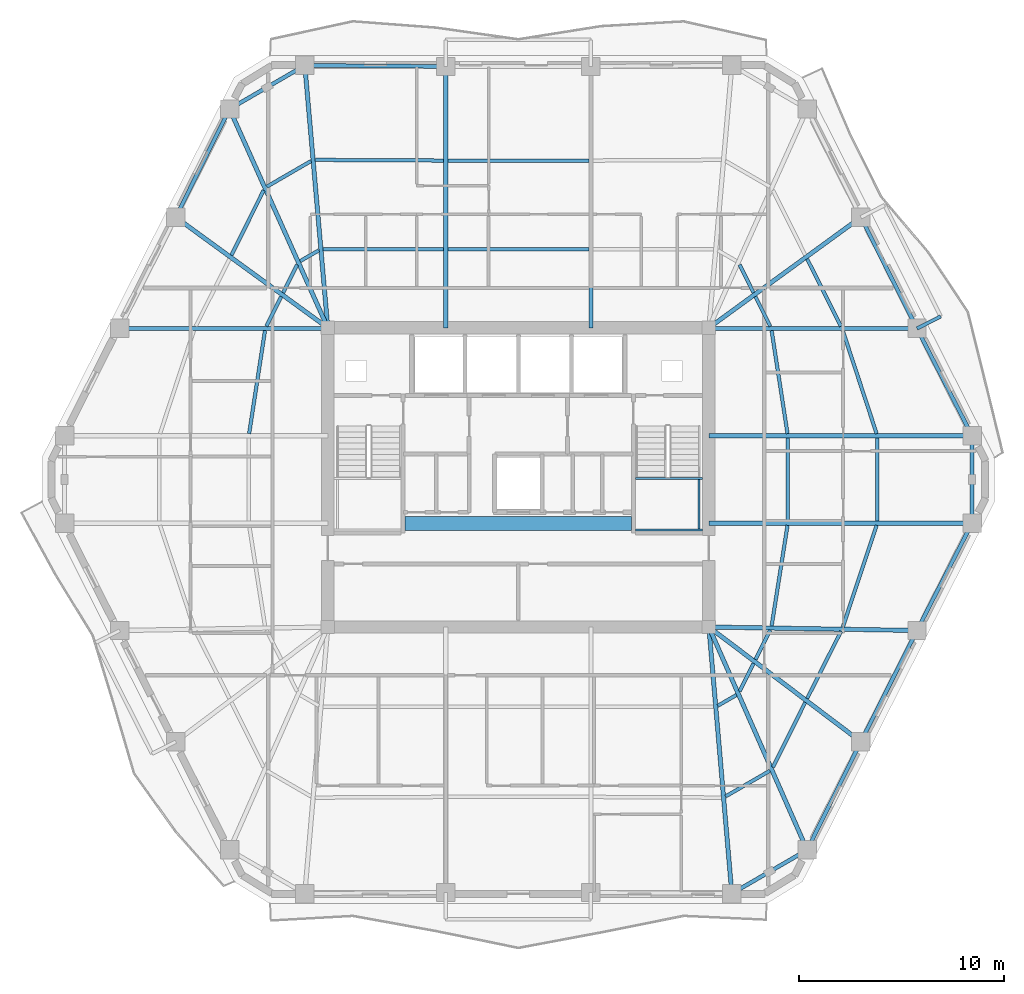
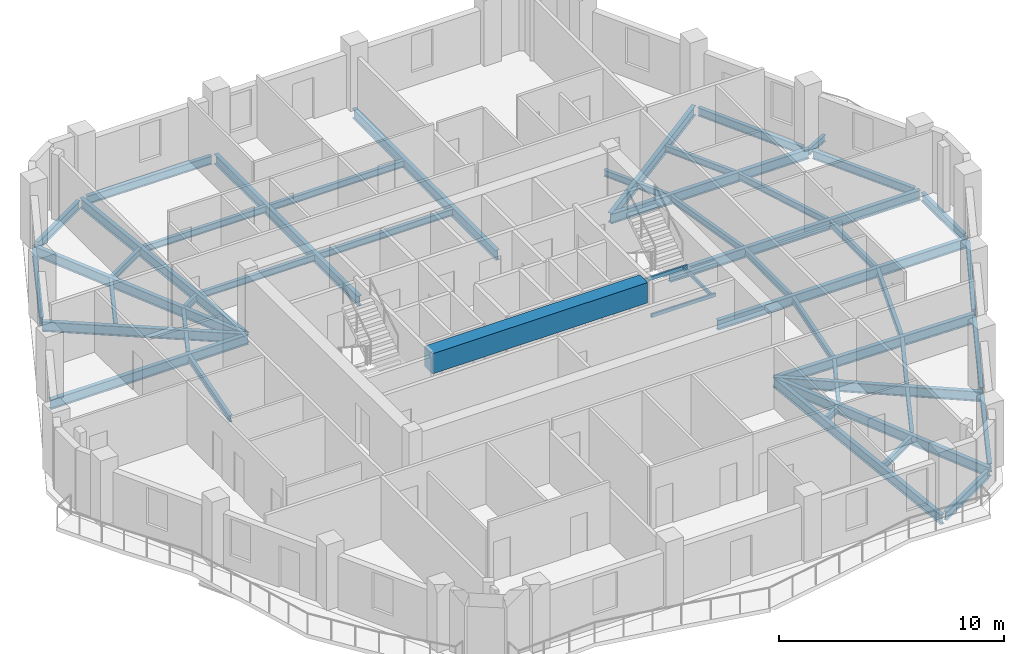
# One storey, part 2 of 11: 54 beams.
"""IFC4 building model written with IfcOpenShell, lengths in metres."""

from ifc_helpers import new_model, si_unit, direction, frame, origin, origin_2d, place, context, subcontext, project, spatial, rectangle, hollow_rectangle, i_section, extrude, material, material_profile, profile_set, type_object, element, save


model = new_model("IFC4")

# Units and contexts
model_context = context("Model", 3, precision=1e-05, world=origin(), true_north=direction((0.0, 1.0)))
body_context = subcontext(model_context, "Body", "Model", "MODEL_VIEW")
ifc_project = project(units=[si_unit("LENGTHUNIT", "METRE"), si_unit("AREAUNIT", "SQUARE_METRE"), si_unit("VOLUMEUNIT", "CUBIC_METRE"), si_unit("PLANEANGLEUNIT", "RADIAN"), si_unit("MASSUNIT", "GRAM", prefix="KILO")], contexts=[model_context])

# Site, building, storey
site_placement = place(None, origin())
site = spatial("IfcSite", under=ifc_project, at=site_placement, CompositionType="ELEMENT")
building_placement = place(site_placement, origin())
building = spatial("IfcBuilding", under=site, at=building_placement, Name="Cinnabar Lancet Tower", CompositionType="ELEMENT")
storey_placement = place(building_placement, frame((0.0, 0.0, 179.0)))
storey = spatial("IfcBuildingStorey", under=building, at=storey_placement, Name="L47", CompositionType="ELEMENT", Elevation=179.0)

# Beams
ifc_material_1 = material(Name="Concrete C70/85", Category="concrete")
ifc_material_profile_1 = material_profile(ifc_material_1, rectangle(XDim=0.699951171875, YDim=1.10009765625, at=origin_2d()), Name="RC-CB 700x1100")
ifc_profile_set_1 = profile_set([ifc_material_profile_1], Name="Concrete C70/85")
beam_type_1 = type_object("IfcBeamType", Name="STR-BM-CB-1100", PredefinedType="BEAM", material=ifc_profile_set_1)
beam_1_placement = place(storey_placement, frame((26.8798828125, 23.64990234375, 2.800048828125), z_axis=(1.0, 0.0, 0.0), x_axis=(0.0, 1.0, 0.0)))
element("IfcBeam", 1, at=beam_1_placement, inside=storey, type_object=beam_type_1, Name="L47 Core Coupling Beam", PredefinedType="BEAM", context=body_context, shape_type="SweptSolid", body=[
    extrude(rectangle(XDim=0.699951171875, YDim=1.10009765625, at=origin_2d()), origin(), (0.0, 0.0, 1.0), 11.0400390625),
])
ifc_material_2 = material(Name="Structural steel S355", Category="steel")
ifc_material_profile_2 = material_profile(ifc_material_2, i_section(OverallWidth=0.17138671875, OverallDepth=0.35498046875, WebThickness=0.00732421875, FlangeThickness=0.011474609375, FilletRadius=0.01025390625, at=origin_2d()), Name="UKB 356x171x51")
ifc_profile_set_2 = profile_set([ifc_material_profile_2], Name="Structural steel S355")
beam_type_2 = type_object("IfcBeamType", Name="STR-BM-JST-356", PredefinedType="JOIST", material=ifc_profile_set_2)
beam_2_placement = place(storey_placement, frame((42.51708984375, 10.3310546875, -0.376953125), z_axis=(0.865267839663, 0.501309849937, 0.0), x_axis=(-0.501309849937, 0.865267839663, 0.0)))
element("IfcBeam", 2, at=beam_2_placement, inside=storey, type_object=beam_type_2, Name="L47 Secondary Floor Joist 15", PredefinedType="JOIST", context=body_context, shape_type="SweptSolid", body=[
    extrude(i_section(OverallWidth=0.17138671875, OverallDepth=0.35498046875, WebThickness=0.00732421875, FlangeThickness=0.011474609375, FilletRadius=0.01025390625, at=origin_2d()), origin(), (0.0, 0.0, 1.0), 2.497314453125),
])
beam_3_placement = place(storey_placement, frame((42.135986328125, 14.7548828125, -0.376953125), z_axis=(0.8651881055, 0.501447446998, 0.0), x_axis=(-0.501447446998, 0.8651881055, 0.0)))
element("IfcBeam", 3, at=beam_3_placement, inside=storey, type_object=beam_type_2, Name="L47 Secondary Floor Joist 16", PredefinedType="JOIST", context=body_context, shape_type="SweptSolid", body=[
    extrude(i_section(OverallWidth=0.17138671875, OverallDepth=0.35498046875, WebThickness=0.00732421875, FlangeThickness=0.011474609375, FilletRadius=0.01025390625, at=origin_2d()), origin(), (0.0, 0.0, 1.0), 1.05322265625),
])
beam_4_placement = place(storey_placement, frame((44.8291015625, 11.758056640625, -0.376953125), z_axis=(0.445027906173, 0.895516701534, 0.0), x_axis=(-0.895516701534, 0.445027906173, 0.0)))
element("IfcBeam", 4, at=beam_4_placement, inside=storey, type_object=beam_type_2, Name="L47 Secondary Floor Joist 17", PredefinedType="JOIST", context=body_context, shape_type="SweptSolid", body=[
    extrude(i_section(OverallWidth=0.17138671875, OverallDepth=0.35498046875, WebThickness=0.00732421875, FlangeThickness=0.011474609375, FilletRadius=0.01025390625, at=origin_2d()), origin(), (0.0, 0.0, 1.0), 3.531982421875),
])
beam_5_placement = place(storey_placement, frame((43.198974609375, 15.45703125, -0.376953125), z_axis=(0.444589856968, 0.895734256954, 0.0), x_axis=(-0.895734256954, 0.444589856968, 0.0)))
element("IfcBeam", 5, at=beam_5_placement, inside=storey, type_object=beam_type_2, Name="L47 Secondary Floor Joist 18", PredefinedType="JOIST", context=body_context, shape_type="SweptSolid", body=[
    extrude(i_section(OverallWidth=0.17138671875, OverallDepth=0.35498046875, WebThickness=0.00732421875, FlangeThickness=0.011474609375, FilletRadius=0.01025390625, at=origin_2d()), origin(), (0.0, 0.0, 1.0), 1.527099609375),
])
beam_6_placement = place(storey_placement, frame((46.49609375, 15.112060546875, -0.376953125), z_axis=(0.450564728728, 0.892743762357, 0.0), x_axis=(-0.892743762357, 0.450564728728, 0.0)))
element("IfcBeam", 6, at=beam_6_placement, inside=storey, type_object=beam_type_2, Name="L47 Secondary Floor Joist 19", PredefinedType="JOIST", context=body_context, shape_type="SweptSolid", body=[
    extrude(i_section(OverallWidth=0.17138671875, OverallDepth=0.35498046875, WebThickness=0.00732421875, FlangeThickness=0.011474609375, FilletRadius=0.01025390625, at=origin_2d()), origin(), (0.0, 0.0, 1.0), 3.66845703125),
])
beam_7_placement = place(storey_placement, frame((43.97412109375, 17.014892578125, -0.376953125), z_axis=(0.450137936259, 0.892959035085, 0.0), x_axis=(-0.892959035085, 0.450137936259, 0.0)))
element("IfcBeam", 7, at=beam_7_placement, inside=storey, type_object=beam_type_2, Name="L47 Secondary Floor Joist 20", PredefinedType="JOIST", context=body_context, shape_type="SweptSolid", body=[
    extrude(i_section(OverallWidth=0.17138671875, OverallDepth=0.35498046875, WebThickness=0.00732421875, FlangeThickness=0.011474609375, FilletRadius=0.01025390625, at=origin_2d()), origin(), (0.0, 0.0, 1.0), 1.6015625),
])
beam_8_placement = place(storey_placement, frame((48.236083984375, 18.594970703125, -0.376953125), z_axis=(0.315346227037, 0.948976689436, 0.0), x_axis=(-0.948976689436, 0.315346227037, 0.0)))
element("IfcBeam", 8, at=beam_8_placement, inside=storey, type_object=beam_type_2, Name="L47 Secondary Floor Joist 21", PredefinedType="JOIST", context=body_context, shape_type="SweptSolid", body=[
    extrude(i_section(OverallWidth=0.17138671875, OverallDepth=0.35498046875, WebThickness=0.00732421875, FlangeThickness=0.011474609375, FilletRadius=0.01025390625, at=origin_2d()), origin(), (0.0, 0.0, 1.0), 5.235107421875),
])
beam_9_placement = place(storey_placement, frame((44.763916015625, 18.653076171875, -0.376953125), z_axis=(0.155750702097, 0.987796395416, 0.0), x_axis=(-0.987796395416, 0.155750702097, 0.0)))
element("IfcBeam", 9, at=beam_9_placement, inside=storey, type_object=beam_type_2, Name="L47 Secondary Floor Joist 22", PredefinedType="JOIST", context=body_context, shape_type="SweptSolid", body=[
    extrude(i_section(OverallWidth=0.17138671875, OverallDepth=0.35498046875, WebThickness=0.00732421875, FlangeThickness=0.011474609375, FilletRadius=0.01025390625, at=origin_2d()), origin(), (0.0, 0.0, 1.0), 4.970458984375),
])
for number, where, z_axis, x_axis, name in (
    (10, (49.922119140625, 23.77294921875, -0.376953125), (0.0, 1.0, 0.0), (-1.0, 0.0, 0.0), "L47 Secondary Floor Joist 23"),
    (11, (45.553955078125, 23.77294921875, -0.376953125), (0.0, 1.0, 0.0), (-1.0, 0.0, 0.0), "L47 Secondary Floor Joist 24"),
):
    element("IfcBeam", number, at=place(storey_placement, frame(where, z_axis=z_axis, x_axis=x_axis)), inside=storey, type_object=beam_type_2, Name=name, PredefinedType="JOIST", context=body_context, shape_type="SweptSolid", body=[
        extrude(i_section(OverallWidth=0.17138671875, OverallDepth=0.35498046875, WebThickness=0.00732421875, FlangeThickness=0.011474609375, FilletRadius=0.01025390625, at=origin_2d()), origin(), (0.0, 0.0, 1.0), 4.053955078125),
    ])
beam_10_placement = place(storey_placement, frame((49.887939453125, 28.037109375, -0.376953125), z_axis=(-0.312240109925, 0.95000321776, 0.0), x_axis=(-0.95000321776, -0.312240109925, 0.0)))
element("IfcBeam", 12, at=beam_10_placement, inside=storey, type_object=beam_type_2, Name="L47 Secondary Floor Joist 25", PredefinedType="JOIST", context=body_context, shape_type="SweptSolid", body=[
    extrude(i_section(OverallWidth=0.17138671875, OverallDepth=0.35498046875, WebThickness=0.00732421875, FlangeThickness=0.011474609375, FilletRadius=0.01025390625, at=origin_2d()), origin(), (0.0, 0.0, 1.0), 5.29345703125),
])
beam_11_placement = place(storey_placement, frame((45.5380859375, 28.037109375, -0.376953125), z_axis=(-0.152154536592, 0.98835671546, 0.0), x_axis=(-0.98835671546, -0.152154536592, 0.0)))
element("IfcBeam", 13, at=beam_11_placement, inside=storey, type_object=beam_type_2, Name="L47 Secondary Floor Joist 26", PredefinedType="JOIST", context=body_context, shape_type="SweptSolid", body=[
    extrude(i_section(OverallWidth=0.17138671875, OverallDepth=0.35498046875, WebThickness=0.00732421875, FlangeThickness=0.011474609375, FilletRadius=0.01025390625, at=origin_2d()), origin(), (0.0, 0.0, 1.0), 5.088134765625),
])
beam_12_placement = place(storey_placement, frame((48.14794921875, 33.27587890625, -0.376953125), z_axis=(-0.449230875134, 0.893415704376, 0.0), x_axis=(-0.893415704376, -0.449230875134, 0.0)))
element("IfcBeam", 14, at=beam_12_placement, inside=storey, type_object=beam_type_2, Name="L47 Secondary Floor Joist 27", PredefinedType="JOIST", context=body_context, shape_type="SweptSolid", body=[
    extrude(i_section(OverallWidth=0.17138671875, OverallDepth=0.35498046875, WebThickness=0.00732421875, FlangeThickness=0.011474609375, FilletRadius=0.01025390625, at=origin_2d()), origin(), (0.0, 0.0, 1.0), 3.677001953125),
])
beam_13_placement = place(storey_placement, frame((44.695068359375, 33.27587890625, -0.376953125), z_axis=(-0.446006949597, 0.89502949723, 0.0), x_axis=(-0.89502949723, -0.446006949597, 0.0)))
element("IfcBeam", 15, at=beam_13_placement, inside=storey, type_object=beam_type_2, Name="L47 Secondary Floor Joist 28", PredefinedType="JOIST", context=body_context, shape_type="SweptSolid", body=[
    extrude(i_section(OverallWidth=0.17138671875, OverallDepth=0.35498046875, WebThickness=0.00732421875, FlangeThickness=0.011474609375, FilletRadius=0.01025390625, at=origin_2d()), origin(), (0.0, 0.0, 1.0), 1.619140625),
])
beam_14_placement = place(storey_placement, frame((43.8779296875, 34.9150390625, -0.376953125), z_axis=(-0.444589856968, 0.895734256954, 0.0), x_axis=(-0.895734256954, -0.444589856968, 0.0)))
element("IfcBeam", 16, at=beam_14_placement, inside=storey, type_object=beam_type_2, Name="L47 Secondary Floor Joist 30", PredefinedType="JOIST", context=body_context, shape_type="SweptSolid", body=[
    extrude(i_section(OverallWidth=0.17138671875, OverallDepth=0.35498046875, WebThickness=0.00732421875, FlangeThickness=0.011474609375, FilletRadius=0.01025390625, at=origin_2d()), origin(), (0.0, 0.0, 1.0), 1.527099609375),
])
for number, where, z_axis, x_axis, name in (
    (17, (35.837890625, 41.364990234375, -0.376953125), (-1.0, 0.0, 0.0), (0.0, -1.0, 0.0), "L47 Secondary Floor Joist 35"),
    (18, (35.837890625, 37.027099609375, -0.376953125), (-1.0, 0.0, 0.0), (0.0, -1.0, 0.0), "L47 Secondary Floor Joist 36"),
):
    element("IfcBeam", number, at=place(storey_placement, frame(where, z_axis=z_axis, x_axis=x_axis)), inside=storey, type_object=beam_type_2, Name=name, PredefinedType="JOIST", context=body_context, shape_type="SweptSolid", body=[
        extrude(i_section(OverallWidth=0.17138671875, OverallDepth=0.35498046875, WebThickness=0.00732421875, FlangeThickness=0.011474609375, FilletRadius=0.01025390625, at=origin_2d()), origin(), (0.0, 0.0, 1.0), 6.8759765625),
    ])
beam_15_placement = place(storey_placement, frame((28.751953125, 41.365966796875, -0.376953125), z_axis=(-0.999986965561, 0.005105752523, 0.0), x_axis=(-0.005105752523, -0.999986965561, 0.0)))
element("IfcBeam", 19, at=beam_15_placement, inside=storey, type_object=beam_type_2, Name="L47 Secondary Floor Joist 37", PredefinedType="JOIST", context=body_context, shape_type="SweptSolid", body=[
    extrude(i_section(OverallWidth=0.17138671875, OverallDepth=0.35498046875, WebThickness=0.00732421875, FlangeThickness=0.011474609375, FilletRadius=0.01025390625, at=origin_2d()), origin(), (0.0, 0.0, 1.0), 6.263916015625),
])
beam_16_placement = place(storey_placement, frame((28.751953125, 37.028076171875, -0.376953125), z_axis=(-0.999996795933, 0.002531427338, 0.0), x_axis=(-0.002531427338, -0.999996795933, 0.0)))
element("IfcBeam", 20, at=beam_16_placement, inside=storey, type_object=beam_type_2, Name="L47 Secondary Floor Joist 38", PredefinedType="JOIST", context=body_context, shape_type="SweptSolid", body=[
    extrude(i_section(OverallWidth=0.17138671875, OverallDepth=0.35498046875, WebThickness=0.00732421875, FlangeThickness=0.011474609375, FilletRadius=0.01025390625, at=origin_2d()), origin(), (0.0, 0.0, 1.0), 5.883056640625),
])
beam_17_placement = place(storey_placement, frame((22.282958984375, 41.341064453125, -0.376953125), z_axis=(-0.865267839663, -0.501309849937, 0.0), x_axis=(0.501309849937, -0.865267839663, 0.0)))
element("IfcBeam", 21, at=beam_17_placement, inside=storey, type_object=beam_type_2, Name="L47 Secondary Floor Joist 39", PredefinedType="JOIST", context=body_context, shape_type="SweptSolid", body=[
    extrude(i_section(OverallWidth=0.17138671875, OverallDepth=0.35498046875, WebThickness=0.00732421875, FlangeThickness=0.011474609375, FilletRadius=0.01025390625, at=origin_2d()), origin(), (0.0, 0.0, 1.0), 2.497314453125),
])
beam_18_placement = place(storey_placement, frame((22.6640625, 36.985107421875, -0.376953125), z_axis=(-0.8651881055, -0.501447446998, 0.0), x_axis=(0.501447446998, -0.8651881055, 0.0)))
element("IfcBeam", 22, at=beam_18_placement, inside=storey, type_object=beam_type_2, Name="L47 Secondary Floor Joist 40", PredefinedType="JOIST", context=body_context, shape_type="SweptSolid", body=[
    extrude(i_section(OverallWidth=0.17138671875, OverallDepth=0.35498046875, WebThickness=0.00732421875, FlangeThickness=0.011474609375, FilletRadius=0.01025390625, at=origin_2d()), origin(), (0.0, 0.0, 1.0), 1.05322265625),
])
beam_19_placement = place(storey_placement, frame((19.970947265625, 39.9150390625, -0.376953125), z_axis=(-0.444835507887, -0.895612288283, 0.0), x_axis=(0.895612288283, -0.444835507887, 0.0)))
element("IfcBeam", 23, at=beam_19_placement, inside=storey, type_object=beam_type_2, Name="L47 Secondary Floor Joist 41", PredefinedType="JOIST", context=body_context, shape_type="SweptSolid", body=[
    extrude(i_section(OverallWidth=0.17138671875, OverallDepth=0.35498046875, WebThickness=0.00732421875, FlangeThickness=0.011474609375, FilletRadius=0.01025390625, at=origin_2d()), origin(), (0.0, 0.0, 1.0), 3.533935546875),
])
beam_20_placement = place(storey_placement, frame((21.60107421875, 36.282958984375, -0.376953125), z_axis=(-0.444589856968, -0.895734256954, 0.0), x_axis=(0.895734256954, -0.444589856968, 0.0)))
element("IfcBeam", 24, at=beam_20_placement, inside=storey, type_object=beam_type_2, Name="L47 Secondary Floor Joist 42", PredefinedType="JOIST", context=body_context, shape_type="SweptSolid", body=[
    extrude(i_section(OverallWidth=0.17138671875, OverallDepth=0.35498046875, WebThickness=0.00732421875, FlangeThickness=0.011474609375, FilletRadius=0.01025390625, at=origin_2d()), origin(), (0.0, 0.0, 1.0), 1.527099609375),
])
beam_21_placement = place(storey_placement, frame((20.826904296875, 34.72509765625, -0.376953125), z_axis=(-0.44588615098, -0.895089682861, 0.0), x_axis=(0.895089682861, -0.44588615098, 0.0)))
element("IfcBeam", 25, at=beam_21_placement, inside=storey, type_object=beam_type_2, Name="L47 Secondary Floor Joist 44", PredefinedType="JOIST", context=body_context, shape_type="SweptSolid", body=[
    extrude(i_section(OverallWidth=0.17138671875, OverallDepth=0.35498046875, WebThickness=0.00732421875, FlangeThickness=0.011474609375, FilletRadius=0.01025390625, at=origin_2d()), origin(), (0.0, 0.0, 1.0), 1.619140625),
])
beam_22_placement = place(storey_placement, frame((20.035888671875, 33.06591796875, -0.376953125), z_axis=(-0.152107663797, -0.988363930248, 0.0), x_axis=(0.988363930248, -0.152107663797, 0.0)))
element("IfcBeam", 26, at=beam_22_placement, inside=storey, type_object=beam_type_2, Name="L47 Secondary Floor Joist 46", PredefinedType="JOIST", context=body_context, shape_type="SweptSolid", body=[
    extrude(i_section(OverallWidth=0.17138671875, OverallDepth=0.35498046875, WebThickness=0.00732421875, FlangeThickness=0.011474609375, FilletRadius=0.01025390625, at=origin_2d()), origin(), (0.0, 0.0, 1.0), 5.088134765625),
])
ifc_material_3 = material(Name="Structural steel S355", Category="steel")
ifc_material_profile_3 = material_profile(ifc_material_3, hollow_rectangle(XDim=0.10009765625, YDim=0.199951171875, WallThickness=0.008056640625, InnerFilletRadius=0.00390625, OuterFilletRadius=0.011962890625, at=origin_2d()), Name="RHS 200x100x8")
ifc_profile_set_3 = profile_set([ifc_material_profile_3], Name="Structural steel S355")
beam_type_3 = type_object("IfcBeamType", Name="STR-BM-LND-203", PredefinedType="BEAM", material=ifc_profile_set_3)
for number, where, z_axis, x_axis, name in (
    (27, (38.1201171875, 23.330078125, 1.47509765625), (1.0, 0.0, 0.0), (0.0, 1.0, 0.0), "L47 ST-2-L47 Landing Support Beam S"),
    (28, (38.1201171875, 25.844970703125, 1.47509765625), (1.0, 0.0, 0.0), (0.0, 1.0, 0.0), "L47 ST-2-L47 Landing Support Beam N"),
):
    element("IfcBeam", number, at=place(storey_placement, frame(where, z_axis=z_axis, x_axis=x_axis)), inside=storey, type_object=beam_type_3, Name=name, PredefinedType="BEAM", context=body_context, shape_type="SweptSolid", body=[
        extrude(hollow_rectangle(XDim=0.10009765625, YDim=0.199951171875, WallThickness=0.008056640625, InnerFilletRadius=0.00390625, OuterFilletRadius=0.011962890625, at=origin_2d()), origin(), (0.0, 0.0, 1.0), 3.27978515625),
    ])
beam_23_placement = place(storey_placement, frame((41.219970703125, 23.3798828125, 1.47509765625), z_axis=(0.0, 1.0, 0.0), x_axis=(-1.0, 0.0, 0.0)))
element("IfcBeam", 29, at=beam_23_placement, inside=storey, type_object=beam_type_3, Name="L47 ST-2-L47 Landing Side Trimmer Beam", PredefinedType="BEAM", context=body_context, shape_type="SweptSolid", body=[
    extrude(hollow_rectangle(XDim=0.10009765625, YDim=0.199951171875, WallThickness=0.008056640625, InnerFilletRadius=0.00390625, OuterFilletRadius=0.011962890625, at=origin_2d()), origin(), (0.0, 0.0, 1.0), 2.4150390625),
])
ifc_material_4 = material(Name="Structural steel S355", Category="steel")
ifc_material_profile_4 = material_profile(ifc_material_4, i_section(OverallWidth=0.1904296875, OverallDepth=0.45703125, WebThickness=0.009033203125, FlangeThickness=0.014404296875, FilletRadius=0.01025390625, at=origin_2d()), Name="UKB 457x191x74")
ifc_profile_set_4 = profile_set([ifc_material_profile_4], Name="Structural steel S355")
beam_type_4 = type_object("IfcBeamType", Name="STR-BM-SPN-457", PredefinedType="SPANDREL", material=ifc_profile_set_4)
beam_24_placement = place(storey_placement, frame((43.037109375, 5.714111328125, -0.427978515625), z_axis=(0.865195717586, 0.501434313016, 0.0), x_axis=(-0.501434313016, 0.865195717586, 0.0)))
element("IfcBeam", 30, at=beam_24_placement, inside=storey, type_object=beam_type_4, Name="L47 Perimeter Spandrel 4", PredefinedType="SPANDREL", context=body_context, shape_type="SweptSolid", body=[
    extrude(i_section(OverallWidth=0.1904296875, OverallDepth=0.45703125, WebThickness=0.009033203125, FlangeThickness=0.014404296875, FilletRadius=0.01025390625, at=origin_2d()), origin(), (0.0, 0.0, 1.0), 3.7470703125),
])
beam_25_placement = place(storey_placement, frame((46.60595703125, 7.94189453125, -0.427978515625), z_axis=(0.444914968367, 0.895572817208, 0.0), x_axis=(-0.895572817208, 0.444914968367, 0.0)))
element("IfcBeam", 31, at=beam_25_placement, inside=storey, type_object=beam_type_4, Name="L47 Perimeter Spandrel 5", PredefinedType="SPANDREL", context=body_context, shape_type="SweptSolid", body=[
    extrude(i_section(OverallWidth=0.1904296875, OverallDepth=0.45703125, WebThickness=0.009033203125, FlangeThickness=0.014404296875, FilletRadius=0.01025390625, at=origin_2d()), origin(), (0.0, 0.0, 1.0), 5.39892578125),
])
beam_26_placement = place(storey_placement, frame((49.23193359375, 13.22412109375, -0.427978515625), z_axis=(0.450395996562, 0.892828900899, 0.0), x_axis=(-0.892828900899, 0.450395996562, 0.0)))
element("IfcBeam", 32, at=beam_26_placement, inside=storey, type_object=beam_type_4, Name="L47 Perimeter Spandrel 6", PredefinedType="SPANDREL", context=body_context, shape_type="SweptSolid", body=[
    extrude(i_section(OverallWidth=0.1904296875, OverallDepth=0.45703125, WebThickness=0.009033203125, FlangeThickness=0.014404296875, FilletRadius=0.01025390625, at=origin_2d()), origin(), (0.0, 0.0, 1.0), 5.579833984375),
])
beam_27_placement = place(storey_placement, frame((51.971923828125, 18.65087890625, -0.427978515625), z_axis=(0.456628362232, 0.889657540184, 0.0), x_axis=(-0.889657540184, 0.456628362232, 0.0)))
element("IfcBeam", 33, at=beam_27_placement, inside=storey, type_object=beam_type_4, Name="L47 Perimeter Spandrel 7", PredefinedType="SPANDREL", context=body_context, shape_type="SweptSolid", body=[
    extrude(i_section(OverallWidth=0.1904296875, OverallDepth=0.45703125, WebThickness=0.009033203125, FlangeThickness=0.014404296875, FilletRadius=0.01025390625, at=origin_2d()), origin(), (0.0, 0.0, 1.0), 5.389892578125),
])
beam_28_placement = place(storey_placement, frame((54.547119140625, 23.91796875, -0.427978515625), z_axis=(0.0, 1.0, 0.0), x_axis=(-1.0, 0.0, 0.0)))
element("IfcBeam", 34, at=beam_28_placement, inside=storey, type_object=beam_type_4, Name="L47 Perimeter Spandrel 8", PredefinedType="SPANDREL", context=body_context, shape_type="SweptSolid", body=[
    extrude(i_section(OverallWidth=0.1904296875, OverallDepth=0.45703125, WebThickness=0.009033203125, FlangeThickness=0.014404296875, FilletRadius=0.01025390625, at=origin_2d()), origin(), (0.0, 0.0, 1.0), 3.763916015625),
])
beam_29_placement = place(storey_placement, frame((54.43310546875, 28.154052734375, -0.427978515625), z_axis=(-0.456646764028, 0.889648094981, 0.0), x_axis=(-0.889648094981, -0.456646764028, 0.0)))
element("IfcBeam", 35, at=beam_29_placement, inside=storey, type_object=beam_type_4, Name="L47 Perimeter Spandrel 9", PredefinedType="SPANDREL", context=body_context, shape_type="SweptSolid", body=[
    extrude(i_section(OverallWidth=0.1904296875, OverallDepth=0.45703125, WebThickness=0.009033203125, FlangeThickness=0.014404296875, FilletRadius=0.01025390625, at=origin_2d()), origin(), (0.0, 0.0, 1.0), 5.3896484375),
])
beam_30_placement = place(storey_placement, frame((51.7451171875, 33.39404296875, -0.427978515625), z_axis=(-0.450395996562, 0.892828900899, 0.0), x_axis=(-0.892828900899, -0.450395996562, 0.0)))
element("IfcBeam", 36, at=beam_30_placement, inside=storey, type_object=beam_type_4, Name="L47 Perimeter Spandrel 10", PredefinedType="SPANDREL", context=body_context, shape_type="SweptSolid", body=[
    extrude(i_section(OverallWidth=0.1904296875, OverallDepth=0.45703125, WebThickness=0.009033203125, FlangeThickness=0.014404296875, FilletRadius=0.01025390625, at=origin_2d()), origin(), (0.0, 0.0, 1.0), 5.579833984375),
])
beam_31_placement = place(storey_placement, frame((28.60693359375, 45.9599609375, -0.427978515625), z_axis=(-0.999970401924, 0.007693846685, 0.0), x_axis=(-0.007693846685, -0.999970401924, 0.0)))
element("IfcBeam", 37, at=beam_31_placement, inside=storey, type_object=beam_type_4, Name="L47 Perimeter Spandrel 15", PredefinedType="SPANDREL", context=body_context, shape_type="SweptSolid", body=[
    extrude(i_section(OverallWidth=0.1904296875, OverallDepth=0.45703125, WebThickness=0.009033203125, FlangeThickness=0.014404296875, FilletRadius=0.01025390625, at=origin_2d()), origin(), (0.0, 0.0, 1.0), 6.378173828125),
])
beam_32_placement = place(storey_placement, frame((21.762939453125, 45.885986328125, -0.427978515625), z_axis=(-0.865195717586, -0.501434313016, 0.0), x_axis=(0.501434313016, -0.865195717586, 0.0)))
element("IfcBeam", 38, at=beam_32_placement, inside=storey, type_object=beam_type_4, Name="L47 Perimeter Spandrel 16", PredefinedType="SPANDREL", context=body_context, shape_type="SweptSolid", body=[
    extrude(i_section(OverallWidth=0.1904296875, OverallDepth=0.45703125, WebThickness=0.009033203125, FlangeThickness=0.014404296875, FilletRadius=0.01025390625, at=origin_2d()), origin(), (0.0, 0.0, 1.0), 3.7470703125),
])
beam_33_placement = place(storey_placement, frame((18.194091796875, 43.657958984375, -0.427978515625), z_axis=(-0.444932986899, -0.895563865489, 0.0), x_axis=(0.895563865489, -0.444932986899, 0.0)))
element("IfcBeam", 39, at=beam_33_placement, inside=storey, type_object=beam_type_4, Name="L47 Perimeter Spandrel 17", PredefinedType="SPANDREL", context=body_context, shape_type="SweptSolid", body=[
    extrude(i_section(OverallWidth=0.1904296875, OverallDepth=0.45703125, WebThickness=0.009033203125, FlangeThickness=0.014404296875, FilletRadius=0.01025390625, at=origin_2d()), origin(), (0.0, 0.0, 1.0), 5.398681640625),
])
ifc_material_5 = material(Name="Structural steel S355", Category="steel")
ifc_material_profile_5 = material_profile(ifc_material_5, i_section(OverallWidth=0.209228515625, OverallDepth=0.533203125, WebThickness=0.010009765625, FlangeThickness=0.015625, FilletRadius=0.0126953125, at=origin_2d()), Name="UKB 533x210x92")
ifc_profile_set_5 = profile_set([ifc_material_profile_5], Name="Structural steel S355")
beam_type_5 = type_object("IfcBeamType", Name="STR-BM-UKB533-92", PredefinedType="BEAM", material=ifc_profile_set_5)
beam_34_placement = place(storey_placement, frame((49.118896484375, 13.0009765625, -0.467041015625), z_axis=(-0.798193439732, 0.602401222417, 0.0), x_axis=(-0.602401222417, -0.798193439732, 0.0)))
element("IfcBeam", 40, at=beam_34_placement, inside=storey, type_object=beam_type_5, Name="L47 Corner Collector Girder 2", PredefinedType="BEAM", context=body_context, shape_type="SweptSolid", body=[
    extrude(i_section(OverallWidth=0.209228515625, OverallDepth=0.533203125, WebThickness=0.010009765625, FlangeThickness=0.015625, FilletRadius=0.0126953125, at=origin_2d()), origin(), (0.0, 0.0, 1.0), 9.294677734375),
])
beam_35_placement = place(storey_placement, frame((49.118896484375, 38.59912109375, -0.467041015625), z_axis=(-0.808550797984, -0.588426382039, 0.0), x_axis=(0.588426382039, -0.808550797984, 0.0)))
element("IfcBeam", 41, at=beam_35_placement, inside=storey, type_object=beam_type_5, Name="L47 Corner Collector Girder 3", PredefinedType="BEAM", context=body_context, shape_type="SweptSolid", body=[
    extrude(i_section(OverallWidth=0.209228515625, OverallDepth=0.533203125, WebThickness=0.010009765625, FlangeThickness=0.015625, FilletRadius=0.0126953125, at=origin_2d()), origin(), (0.0, 0.0, 1.0), 9.175537109375),
])
beam_36_placement = place(storey_placement, frame((15.680908203125, 38.59912109375, -0.467041015625), z_axis=(0.80856001044, -0.588413723087, 0.0), x_axis=(0.588413723087, 0.80856001044, 0.0)))
element("IfcBeam", 42, at=beam_36_placement, inside=storey, type_object=beam_type_5, Name="L47 Corner Collector Girder 4", PredefinedType="BEAM", context=body_context, shape_type="SweptSolid", body=[
    extrude(i_section(OverallWidth=0.209228515625, OverallDepth=0.533203125, WebThickness=0.010009765625, FlangeThickness=0.015625, FilletRadius=0.0126953125, at=origin_2d()), origin(), (0.0, 0.0, 1.0), 9.17578125),
])
beam_37_placement = place(storey_placement, frame((42.821044921875, 5.589111328125, -0.467041015625), z_axis=(-0.085847068729, 0.996308326167, 0.0), x_axis=(-0.996308326167, -0.085847068729, 0.0)))
element("IfcBeam", 43, at=beam_37_placement, inside=storey, type_object=beam_type_5, Name="L47 Primary Floor Girder 4", PredefinedType="BEAM", context=body_context, shape_type="SweptSolid", body=[
    extrude(i_section(OverallWidth=0.209228515625, OverallDepth=0.533203125, WebThickness=0.010009765625, FlangeThickness=0.015625, FilletRadius=0.0126953125, at=origin_2d()), origin(), (0.0, 0.0, 1.0), 13.05908203125),
])
beam_38_placement = place(storey_placement, frame((46.4951171875, 7.718017578125, -0.467041015625), z_axis=(-0.403235299754, 0.915096329919, 0.0), x_axis=(-0.915096329919, -0.403235299754, 0.0)))
element("IfcBeam", 44, at=beam_38_placement, inside=storey, type_object=beam_type_5, Name="L47 Primary Floor Girder 5", PredefinedType="BEAM", context=body_context, shape_type="SweptSolid", body=[
    extrude(i_section(OverallWidth=0.209228515625, OverallDepth=0.533203125, WebThickness=0.010009765625, FlangeThickness=0.015625, FilletRadius=0.0126953125, at=origin_2d()), origin(), (0.0, 0.0, 1.0), 11.891845703125),
])
beam_39_placement = place(storey_placement, frame((51.85791015625, 18.428955078125, -0.467041015625), z_axis=(-0.999858100525, 0.016845735777, 0.0), x_axis=(-0.016845735777, -0.999858100525, 0.0)))
element("IfcBeam", 45, at=beam_39_placement, inside=storey, type_object=beam_type_5, Name="L47 Primary Floor Girder 7", PredefinedType="BEAM", context=body_context, shape_type="SweptSolid", body=[
    extrude(i_section(OverallWidth=0.209228515625, OverallDepth=0.533203125, WebThickness=0.010009765625, FlangeThickness=0.015625, FilletRadius=0.0126953125, at=origin_2d()), origin(), (0.0, 0.0, 1.0), 10.159423828125),
])
for number, where, z_axis, x_axis, name in (
    (46, (54.547119140625, 23.66796875, -0.467041015625), (-1.0, 0.0, 0.0), (0.0, -1.0, 0.0), "L47 Primary Floor Girder 8"),
    (47, (54.547119140625, 27.931884765625, -0.467041015625), (-1.0, 0.0, 0.0), (0.0, -1.0, 0.0), "L47 Primary Floor Girder 9"),
):
    element("IfcBeam", number, at=place(storey_placement, frame(where, z_axis=z_axis, x_axis=x_axis)), inside=storey, type_object=beam_type_5, Name=name, PredefinedType="BEAM", context=body_context, shape_type="SweptSolid", body=[
        extrude(i_section(OverallWidth=0.209228515625, OverallDepth=0.533203125, WebThickness=0.010009765625, FlangeThickness=0.015625, FilletRadius=0.0126953125, at=origin_2d()), origin(), (0.0, 0.0, 1.0), 12.84716796875),
    ])
beam_40_placement = place(storey_placement, frame((51.85791015625, 33.1708984375, -0.467041015625), z_axis=(-1.0, 0.0, 0.0), x_axis=(0.0, -1.0, 0.0)))
element("IfcBeam", 48, at=beam_40_placement, inside=storey, type_object=beam_type_5, Name="L47 Primary Floor Girder 10", PredefinedType="BEAM", context=body_context, shape_type="SweptSolid", body=[
    extrude(i_section(OverallWidth=0.209228515625, OverallDepth=0.533203125, WebThickness=0.010009765625, FlangeThickness=0.015625, FilletRadius=0.0126953125, at=origin_2d()), origin(), (0.0, 0.0, 1.0), 10.157958984375),
])
for number, where, z_axis, x_axis, name in (
    (49, (35.943115234375, 45.9580078125, -0.467041015625), (0.0, -1.0, 0.0), (1.0, 0.0, 0.0), "L47 Primary Floor Girder 14"),
    (50, (28.85693359375, 45.9580078125, -0.467041015625), (0.0, -1.0, 0.0), (1.0, 0.0, 0.0), "L47 Primary Floor Girder 15"),
):
    element("IfcBeam", number, at=place(storey_placement, frame(where, z_axis=z_axis, x_axis=x_axis)), inside=storey, type_object=beam_type_5, Name=name, PredefinedType="BEAM", context=body_context, shape_type="SweptSolid", body=[
        extrude(i_section(OverallWidth=0.209228515625, OverallDepth=0.533203125, WebThickness=0.010009765625, FlangeThickness=0.015625, FilletRadius=0.0126953125, at=origin_2d()), origin(), (0.0, 0.0, 1.0), 12.758056640625),
    ])
beam_41_placement = place(storey_placement, frame((21.97900390625, 46.010986328125, -0.467041015625), z_axis=(0.087176841412, -0.996192851973, 0.0), x_axis=(0.996192851973, 0.087176841412, 0.0)))
element("IfcBeam", 51, at=beam_41_placement, inside=storey, type_object=beam_type_5, Name="L47 Primary Floor Girder 16", PredefinedType="BEAM", context=body_context, shape_type="SweptSolid", body=[
    extrude(i_section(OverallWidth=0.209228515625, OverallDepth=0.533203125, WebThickness=0.010009765625, FlangeThickness=0.015625, FilletRadius=0.0126953125, at=origin_2d()), origin(), (0.0, 0.0, 1.0), 12.860107421875),
])
beam_42_placement = place(storey_placement, frame((18.304931640625, 43.882080078125, -0.467041015625), z_axis=(0.409527011626, -0.912297992297, 0.0), x_axis=(0.912297992297, 0.409527011626, 0.0)))
element("IfcBeam", 52, at=beam_42_placement, inside=storey, type_object=beam_type_5, Name="L47 Primary Floor Girder 17", PredefinedType="BEAM", context=body_context, shape_type="SweptSolid", body=[
    extrude(i_section(OverallWidth=0.209228515625, OverallDepth=0.533203125, WebThickness=0.010009765625, FlangeThickness=0.015625, FilletRadius=0.0126953125, at=origin_2d()), origin(), (0.0, 0.0, 1.0), 11.708984375),
])
beam_43_placement = place(storey_placement, frame((12.94189453125, 33.1708984375, -0.467041015625), z_axis=(1.0, 0.0, 0.0), x_axis=(0.0, 1.0, 0.0)))
element("IfcBeam", 53, at=beam_43_placement, inside=storey, type_object=beam_type_5, Name="L47 Primary Floor Girder 19", PredefinedType="BEAM", context=body_context, shape_type="SweptSolid", body=[
    extrude(i_section(OverallWidth=0.209228515625, OverallDepth=0.533203125, WebThickness=0.010009765625, FlangeThickness=0.015625, FilletRadius=0.0126953125, at=origin_2d()), origin(), (0.0, 0.0, 1.0), 10.158203125),
])
ifc_material_6 = material(Name="Structural steel S355", Category="steel")
ifc_material_profile_6 = material_profile(ifc_material_6, i_section(OverallWidth=0.17138671875, OverallDepth=0.35498046875, WebThickness=0.00732421875, FlangeThickness=0.011474609375, FilletRadius=0.01025390625, at=origin_2d()), Name="UKB 356x171x51")
ifc_profile_set_6 = profile_set([ifc_material_profile_6], Name="Structural steel S355")
beam_type_6 = type_object("IfcBeamType", Name="STR-BM-WAV-OUT", PredefinedType="BEAM", material=ifc_profile_set_6)
beam_44_placement = place(storey_placement, frame((51.85791015625, 33.1708984375, -0.39794921875), z_axis=(0.892238560088, 0.451564338597, 0.0), x_axis=(-0.451564338597, 0.892238560088, 0.0)))
element("IfcBeam", 54, at=beam_44_placement, inside=storey, type_object=beam_type_6, Name="L47 Face 3 Balcony Outlooker A", PredefinedType="BEAM", context=body_context, shape_type="SweptSolid", body=[
    extrude(i_section(OverallWidth=0.17138671875, OverallDepth=0.35498046875, WebThickness=0.00732421875, FlangeThickness=0.011474609375, FilletRadius=0.01025390625, at=origin_2d()), origin(), (0.0, 0.0, 1.0), 1.30029296875),
])

save(model, "model.ifc")
